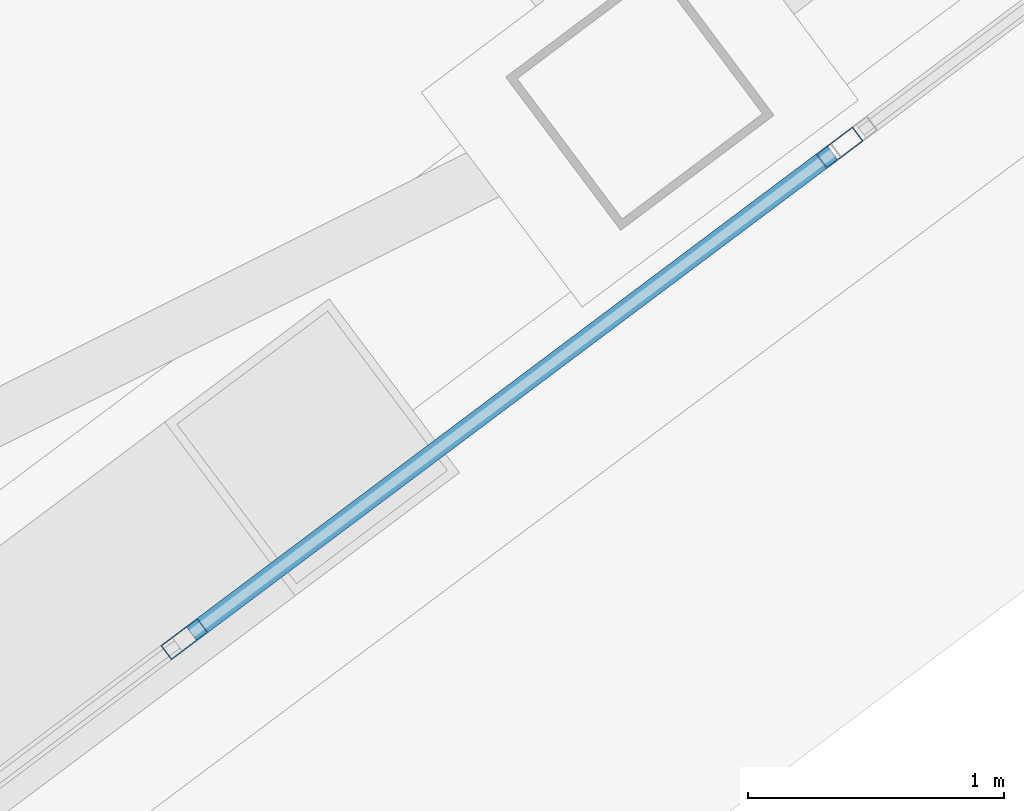
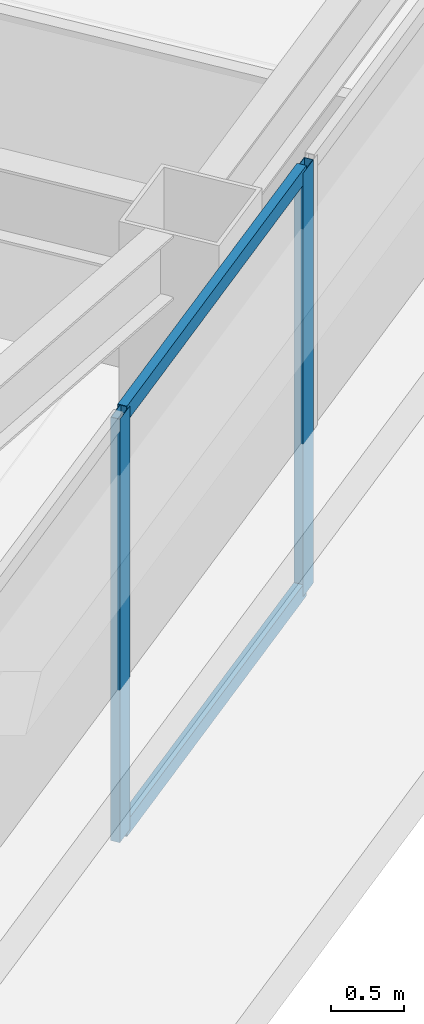
# One storey, part 31 of 65: 4 members, 1 element without a shape of its own.
"""IFC4 building model written with IfcOpenShell, lengths in metres."""

from ifc_helpers import new_model, si_unit, direction, frame, origin, origin_2d, place, context, subcontext, project, spatial, hollow_rectangle, extrude, material, material_profile, profile_set, type_object, element, aggregate, save


model = new_model("IFC4")

# Units and contexts
model_context = context("Model", 3, precision=1e-05, world=origin(), true_north=direction((0.0, 1.0)))
body_context = subcontext(model_context, "Body", "Model", "MODEL_VIEW")
ifc_project = project(units=[si_unit("LENGTHUNIT", "METRE"), si_unit("AREAUNIT", "SQUARE_METRE"), si_unit("VOLUMEUNIT", "CUBIC_METRE"), si_unit("PLANEANGLEUNIT", "RADIAN"), si_unit("MASSUNIT", "GRAM", prefix="KILO")], contexts=[model_context])

# Site, building, storey
site_placement = place(None, origin())
site = spatial("IfcSite", under=ifc_project, at=site_placement, CompositionType="ELEMENT")
building_placement = place(site_placement, origin())
building = spatial("IfcBuilding", under=site, at=building_placement, Name="Tashvorn Skyway Center", CompositionType="ELEMENT")
storey_placement = place(building_placement, frame((0.0, 0.0, 157.0)))
storey = spatial("IfcBuildingStorey", under=building, at=storey_placement, Name="L42", CompositionType="ELEMENT", Elevation=157.0)

# Curtain wall, members
ifc_material = material(Name="Thermally broken bronze-anodized aluminium 6063-T6", Category="aluminium")
curtain_wall_type = type_object("IfcCurtainWallType", Name="CW-CW-Z4", PredefinedType="NOTDEFINED", material=ifc_material)
curtain_wall_placement = place(storey_placement, origin())
curtain_wall = element("IfcCurtainWall", 1, at=curtain_wall_placement, inside=storey, type_object=curtain_wall_type, Name="Tower 2 L42 South Unitised Curtain Wall Glazing Group 3", PredefinedType="NOTDEFINED")
ifc_material_profile_1 = material_profile(ifc_material, hollow_rectangle(XDim=0.070068359375, YDim=0.179931640625, WallThickness=0.00390625, at=origin_2d()), Name="ALU-MULL-70x180")
ifc_profile_set_1 = profile_set([ifc_material_profile_1], Name="Thermally broken bronze-anodized aluminium 6063-T6")
member_type_1 = type_object("IfcMemberType", Name="CWM-CW-Z4", PredefinedType="MULLION", material=ifc_profile_set_1)
member_1_placement = place(storey_placement, frame((120.152099609375, 15.638916015625, 0.0), z_axis=(0.0, 0.0, 1.0), x_axis=(0.600000000002, -0.799999999998, 0.0)))
member_1 = element("IfcMember", 2, at=member_1_placement, type_object=member_type_1, Name="CW-Z4 mullion 1", PredefinedType="MULLION", context=body_context, shape_type="SweptSolid", body=[
    extrude(hollow_rectangle(XDim=0.070068359375, YDim=0.179931640625, WallThickness=0.00390625, at=origin_2d()), origin(), (0.0, 0.0, 1.0), 3.550048828125),
])
member_2_placement = place(storey_placement, frame((117.587890625, 13.716064453125, 0.0), z_axis=(0.0, 0.0, 1.0), x_axis=(0.600000000002, -0.799999999998, 0.0)))
member_2 = element("IfcMember", 3, at=member_2_placement, type_object=member_type_1, Name="CW-Z4 mullion 2", PredefinedType="MULLION", context=body_context, shape_type="SweptSolid", body=[
    extrude(hollow_rectangle(XDim=0.070068359375, YDim=0.179931640625, WallThickness=0.00390625, at=origin_2d()), origin(), (0.0, 0.0, 1.0), 3.550048828125),
])
ifc_material_profile_2 = material_profile(ifc_material, hollow_rectangle(XDim=0.070068359375, YDim=0.1298828125, WallThickness=0.00390625, at=origin_2d()), Name="ALU-TRAN-70x130")
ifc_profile_set_2 = profile_set([ifc_material_profile_2], Name="Thermally broken bronze-anodized aluminium 6063-T6")
member_type_2 = type_object("IfcMemberType", Name="CWT-CW-Z4", PredefinedType="USERDEFINED", material=ifc_profile_set_2)
member_3_placement = place(storey_placement, frame((120.1240234375, 15.617919921875, 0.034912109375), z_axis=(-0.800028034763, -0.599962618496, 0.0), x_axis=(0.599962618496, -0.800028034763, 0.0)))
member_3 = element("IfcMember", 4, at=member_3_placement, type_object=member_type_2, Name="CW-Z4 transom 1.1", ObjectType="TRANSOM", PredefinedType="USERDEFINED", context=body_context, shape_type="SweptSolid", body=[
    extrude(hollow_rectangle(XDim=0.070068359375, YDim=0.1298828125, WallThickness=0.00390625, at=origin_2d()), origin(), (0.0, 0.0, 1.0), 3.135009765625),
])
member_4_placement = place(storey_placement, frame((120.1240234375, 15.617919921875, 3.514892578125), z_axis=(-0.800028034763, -0.599962618496, 0.0), x_axis=(0.599962618496, -0.800028034763, 0.0)))
member_4 = element("IfcMember", 5, at=member_4_placement, type_object=member_type_2, Name="CW-Z4 transom 1.2", ObjectType="TRANSOM", PredefinedType="USERDEFINED", context=body_context, shape_type="SweptSolid", body=[
    extrude(hollow_rectangle(XDim=0.070068359375, YDim=0.1298828125, WallThickness=0.00390625, at=origin_2d()), origin(), (0.0, 0.0, 1.0), 3.135009765625),
])
aggregate(curtain_wall, [member_1, member_2, member_3, member_4])

save(model, "model.ifc")
